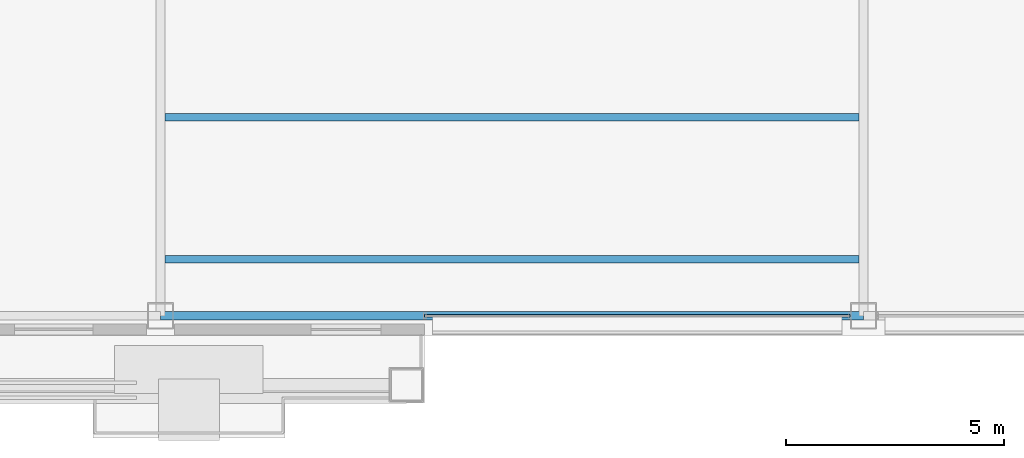
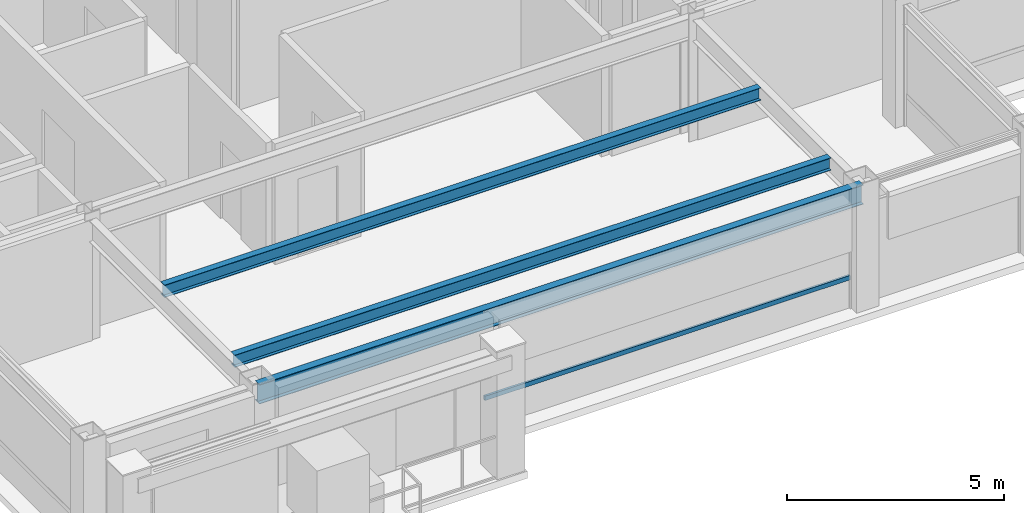
# One storey, part 7 of 28: 3 beams, 1 member, 1 element without a shape of its own.
"""IFC4 building model written with IfcOpenShell, lengths in metres."""

from ifc_helpers import new_model, si_unit, direction, frame, origin, origin_2d, place, context, subcontext, project, spatial, hollow_rectangle, i_section, extrude, material, layer, layer_set, material_profile, profile_set, type_object, element, aggregate, save


model = new_model("IFC4")

# Units and contexts
model_context = context("Model", 3, precision=1e-05, world=origin(), true_north=direction((0.0, 1.0)))
body_context = subcontext(model_context, "Body", "Model", "MODEL_VIEW")
ifc_project = project(units=[si_unit("LENGTHUNIT", "METRE"), si_unit("AREAUNIT", "SQUARE_METRE"), si_unit("VOLUMEUNIT", "CUBIC_METRE"), si_unit("PLANEANGLEUNIT", "RADIAN"), si_unit("MASSUNIT", "GRAM", prefix="KILO")], contexts=[model_context])

# Site, building, storey
site_placement = place(None, origin())
site = spatial("IfcSite", under=ifc_project, at=site_placement, CompositionType="ELEMENT")
building_placement = place(site_placement, origin())
building = spatial("IfcBuilding", under=site, at=building_placement, Name="Brelmoor Portico Tower", CompositionType="ELEMENT")
storey_placement = place(building_placement, frame((0.0, 0.0, 265.199951171875)))
storey = spatial("IfcBuildingStorey", under=building, at=storey_placement, Name="L70", CompositionType="ELEMENT", Elevation=265.199951171875)

# Beams
ifc_material_1 = material(Name="Steel Q355B", Category="steel")
ifc_material_profile_1 = material_profile(ifc_material_1, i_section(OverallWidth=0.175048828125, OverallDepth=0.35009765625, WebThickness=0.007080078125, FlangeThickness=0.010986328125, at=origin_2d()), Name="HN 350x175x7x11")
ifc_profile_set_1 = profile_set([ifc_material_profile_1], Name="Steel Q355B")
beam_type_1 = type_object("IfcBeamType", Name="BM-JS-350", PredefinedType="JOIST", material=ifc_profile_set_1)
for number, where, z_axis, x_axis, name in (
    (1, (-7.949951171875, -16.25, 3.22509765625), (1.0, 0.0, 0.0), (0.0, 1.0, 0.0), "L70 Secondary Composite Joist JS-C01"),
    (2, (-7.949951171875, -13.0, 3.22509765625), (1.0, 0.0, 0.0), (0.0, 1.0, 0.0), "L70 Secondary Composite Joist JS-C02"),
):
    element("IfcBeam", number, at=place(storey_placement, frame(where, z_axis=z_axis, x_axis=x_axis)), inside=storey, type_object=beam_type_1, Name=name, PredefinedType="JOIST", context=body_context, shape_type="SweptSolid", body=[
        extrude(i_section(OverallWidth=0.175048828125, OverallDepth=0.35009765625, WebThickness=0.007080078125, FlangeThickness=0.010986328125, at=origin_2d()), origin(), (0.0, 0.0, 1.0), 15.89990234375),
    ])
ifc_material_profile_2 = material_profile(ifc_material_1, i_section(OverallWidth=0.199951171875, OverallDepth=0.550048828125, WebThickness=0.010009765625, FlangeThickness=0.01611328125, at=origin_2d()), Name="HN 550x200x10x16")
ifc_profile_set_2 = profile_set([ifc_material_profile_2], Name="Steel Q355B")
beam_type_2 = type_object("IfcBeamType", Name="BM-SP-550", PredefinedType="SPANDREL", material=ifc_profile_set_2)
beam_placement = place(storey_placement, frame((-8.050048828125, -17.550048828125, 3.125), z_axis=(1.0, 0.0, 0.0), x_axis=(0.0, 1.0, 0.0)))
element("IfcBeam", 3, at=beam_placement, inside=storey, type_object=beam_type_2, Name="L70 Perimeter Spandrel Beam SP-02", PredefinedType="SPANDREL", context=body_context, shape_type="SweptSolid", body=[
    extrude(i_section(OverallWidth=0.199951171875, OverallDepth=0.550048828125, WebThickness=0.010009765625, FlangeThickness=0.01611328125, at=origin_2d()), origin(), (0.0, 0.0, 1.0), 16.10009765625),
])

# Curtain wall, member
ifc_material_2 = material(Name="Anodised Aluminium Alloy 6063-T6", Category="aluminium")
ifc_layer = layer(ifc_material_2, 0.179931640625)
ifc_layer_set = layer_set([ifc_layer], Name="Anodised Aluminium Alloy 6063-T6")
curtain_wall_type = type_object("IfcCurtainWallType", Name="CW-TOWER-Z4", PredefinedType="NOTDEFINED", material=ifc_layer_set)
curtain_wall_placement = place(storey_placement, origin())
curtain_wall = element("IfcCurtainWall", 4, at=curtain_wall_placement, inside=storey, type_object=curtain_wall_type, Name="L70 Curtain Wall CW-L70-1R-1", PredefinedType="NOTDEFINED")
ifc_material_profile_3 = material_profile(ifc_material_2, hollow_rectangle(XDim=0.06005859375, YDim=0.125, WallThickness=0.00341796875, at=origin_2d()), Name="ALU TRANSOM 60x125")
ifc_profile_set_3 = profile_set([ifc_material_profile_3], Name="Anodised Aluminium Alloy 6063-T6")
member_type = type_object("IfcMemberType", Name="MB-CW-TRAN-125", PredefinedType="USERDEFINED", material=ifc_profile_set_3)
member_placement = place(storey_placement, frame((-2.0, -17.550048828125, 0.85009765625), z_axis=(1.0, 0.0, 0.0), x_axis=(0.0, 1.0, 0.0)))
member = element("IfcMember", 5, at=member_placement, type_object=member_type, Name="CW-L70-1R-1 Transom 1-00", ObjectType="TRANSOM", PredefinedType="USERDEFINED", context=body_context, shape_type="SweptSolid", body=[
    extrude(hollow_rectangle(XDim=0.06005859375, YDim=0.125, WallThickness=0.00341796875, at=origin_2d()), origin(), (0.0, 0.0, 1.0), 9.739990234375),
])
aggregate(curtain_wall, [member])

save(model, "model.ifc")
